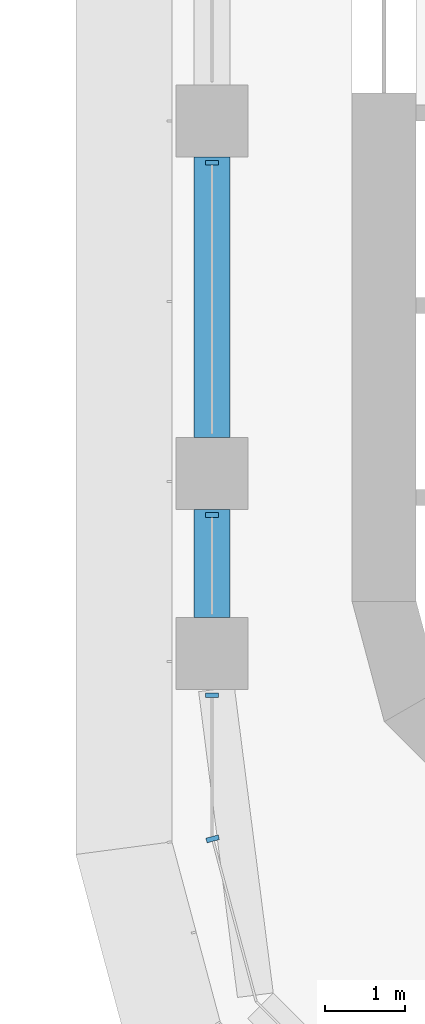
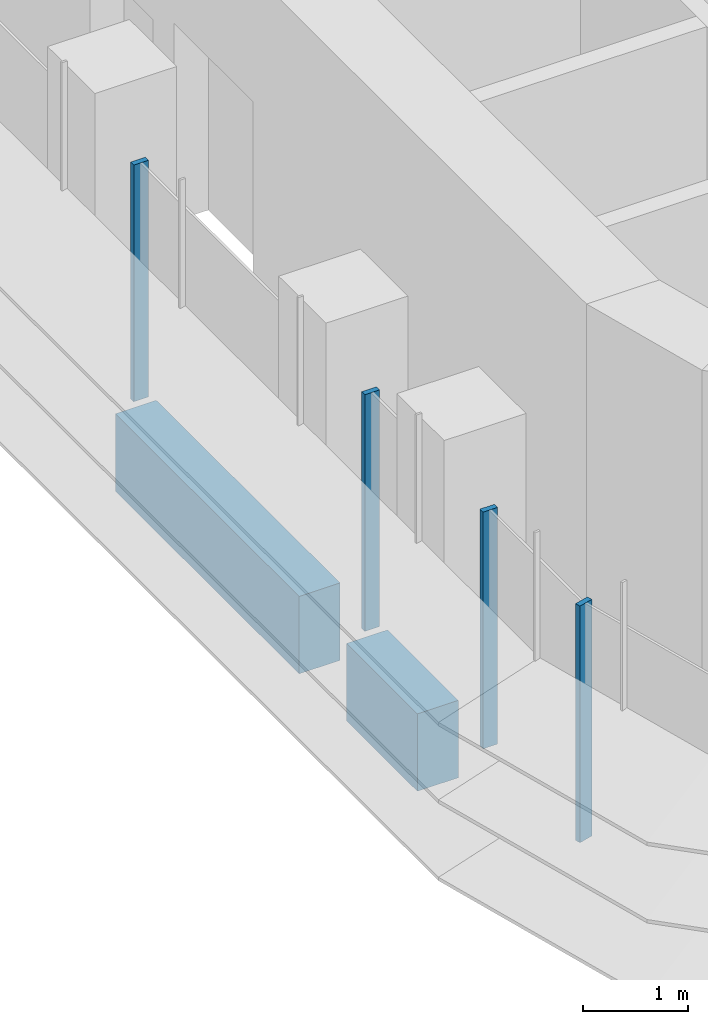
# One storey, part 2 of 22: 4 members, 2 beams, 2 elements without a shape of their own.
"""IFC4 building model written with IfcOpenShell, lengths in metres."""

from ifc_helpers import new_model, si_unit, direction, frame, origin, origin_2d, place, context, subcontext, project, spatial, polyline, rectangle, outline, extrude, source, transform, mapped, material, material_profile, profile_set, type_object, element, aggregate, save


model = new_model("IFC4")

# Units and contexts
model_context = context("Model", 3, precision=1e-05, world=origin(), true_north=direction((0.0, 1.0)))
body_context = subcontext(model_context, "Body", "Model", "MODEL_VIEW")
ifc_project = project(units=[si_unit("LENGTHUNIT", "METRE"), si_unit("AREAUNIT", "SQUARE_METRE"), si_unit("VOLUMEUNIT", "CUBIC_METRE"), si_unit("PLANEANGLEUNIT", "RADIAN"), si_unit("MASSUNIT", "GRAM", prefix="KILO")], contexts=[model_context])

# Site, building, storey
site_placement = place(None, origin())
site = spatial("IfcSite", under=ifc_project, at=site_placement, CompositionType="ELEMENT")
building_placement = place(site_placement, origin())
building = spatial("IfcBuilding", under=site, at=building_placement, Name="Zarbagh Exchange Tower", CompositionType="ELEMENT")
storey_placement = place(building_placement, frame((0.0, 0.0, 132.199951171875)))
storey = spatial("IfcBuildingStorey", under=building, at=storey_placement, Name="L31", CompositionType="ELEMENT", Elevation=132.199951171875)

# Beams
ifc_material_1 = material(Name="Concrete C60/75", Category="concrete")
ifc_material_profile = material_profile(ifc_material_1, rectangle(XDim=0.449951171875, YDim=0.89990234375, at=origin_2d()), Name="RC spandrel beam 450 x 900 C60/75")
ifc_profile_set = profile_set([ifc_material_profile], Name="Concrete C60/75")
beam_type = type_object("IfcBeamType", Name="RC spandrel beam 450 x 900 C60/75", PredefinedType="SPANDREL", material=ifc_profile_set)
beam_1_placement = place(storey_placement, frame((-6.25, -26.449951171875, -0.599853515625), z_axis=(0.0, 1.0, 0.0), x_axis=(-1.0, 0.0, 0.0)))
element("IfcBeam", 1, at=beam_1_placement, inside=storey, type_object=beam_type, Name="RC spandrel beam", PredefinedType="SPANDREL", context=body_context, shape_type="SweptSolid", body=[
    extrude(rectangle(XDim=0.449951171875, YDim=0.89990234375, at=origin_2d()), origin(), (0.0, 0.0, 1.0), 1.349853515625),
])
beam_2_placement = place(storey_placement, frame((-6.25, -24.199951171875, -0.599853515625), z_axis=(0.0, 1.0, 0.0), x_axis=(-1.0, 0.0, 0.0)))
element("IfcBeam", 2, at=beam_2_placement, inside=storey, type_object=beam_type, Name="RC spandrel beam", PredefinedType="SPANDREL", context=body_context, shape_type="SweptSolid", body=[
    extrude(rectangle(XDim=0.449951171875, YDim=0.89990234375, at=origin_2d()), origin(), (0.0, 0.0, 1.0), 3.5),
])

# Curtain wall, members
ifc_material_2 = material(Name="Anodised aluminium frame and glazing", Category="aluminium")
curtain_wall_type = type_object("IfcCurtainWallType", Name="CWA Ribbon glazing, lower zones", PredefinedType="NOTDEFINED", material=ifc_material_2)
curtain_wall_1_placement = place(storey_placement, origin())
curtain_wall_1 = element("IfcCurtainWall", 3, at=curtain_wall_1_placement, inside=storey, type_object=curtain_wall_type, Name="CWA44 curtain wall", PredefinedType="NOTDEFINED")
ifc_material_3 = material(Name="Anodised aluminium frame", Category="aluminium")
member_type = type_object("IfcMemberType", Name="MUA Mullion, anodised aluminium frame", PredefinedType="MULLION", material=ifc_material_3)
shared_shape = source(origin(), body_context, "Body", "SweptSolid", [
    extrude(outline(polyline([(0.0, -0.080078125), (0.06005859375, -0.080078125), (0.06005859375, 0.080078125), (0.0, 0.080078125), (0.0, -0.080078125)])), origin(), (0.0, 0.0, 1.0), 2.75),
])
placement = place(storey_placement, origin())
member_1 = element("IfcMember", 4, at=placement, type_object=member_type, Name="CWA44 mullion 3.1", PredefinedType="MULLION", context=body_context, shape_type="MappedRepresentation", body=[
    mapped(shared_shape, transform((-6.25, -20.739990234375, 0.0), x_axis=(0.0, -1.0, 0.0), y_axis=(1.0, 0.0, 0.0), z_axis=(0.0, 0.0, 1.0))),
])
member_2 = element("IfcMember", 5, at=placement, type_object=member_type, Name="CWA44 mullion 4.1", PredefinedType="MULLION", context=body_context, shape_type="MappedRepresentation", body=[
    mapped(shared_shape, transform((-6.25, -25.14013671875, 0.0), x_axis=(0.0, -1.0, 0.0), y_axis=(1.0, 0.0, 0.0), z_axis=(0.0, 0.0, 1.0))),
])
member_3 = element("IfcMember", 6, at=placement, type_object=member_type, Name="CWA44 mullion 5.1", PredefinedType="MULLION", context=body_context, shape_type="MappedRepresentation", body=[
    mapped(shared_shape, transform((-6.25, -27.39013671875, 0.0), x_axis=(0.0, -1.0, 0.0), y_axis=(1.0, 0.0, 0.0), z_axis=(0.0, 0.0, 1.0))),
])
aggregate(curtain_wall_1, [member_1, member_2, member_3])

# Curtain wall, member
curtain_wall_2_placement = place(storey_placement, origin())
curtain_wall_2 = element("IfcCurtainWall", 7, at=curtain_wall_2_placement, inside=storey, type_object=curtain_wall_type, Name="CWA45 curtain wall", PredefinedType="NOTDEFINED")
member_4 = element("IfcMember", 8, at=placement, type_object=member_type, Name="CWA45 mullion 1.1", PredefinedType="MULLION", context=body_context, shape_type="MappedRepresentation", body=[
    mapped(shared_shape, transform((-6.25, -29.18408203125, 0.0), x_axis=(0.258824779902, -0.965924289636, 0.0), y_axis=(0.965924289636, 0.258824779902, 0.0), z_axis=(0.0, 0.0, 1.0))),
])
aggregate(curtain_wall_2, [member_4])

save(model, "model.ifc")
